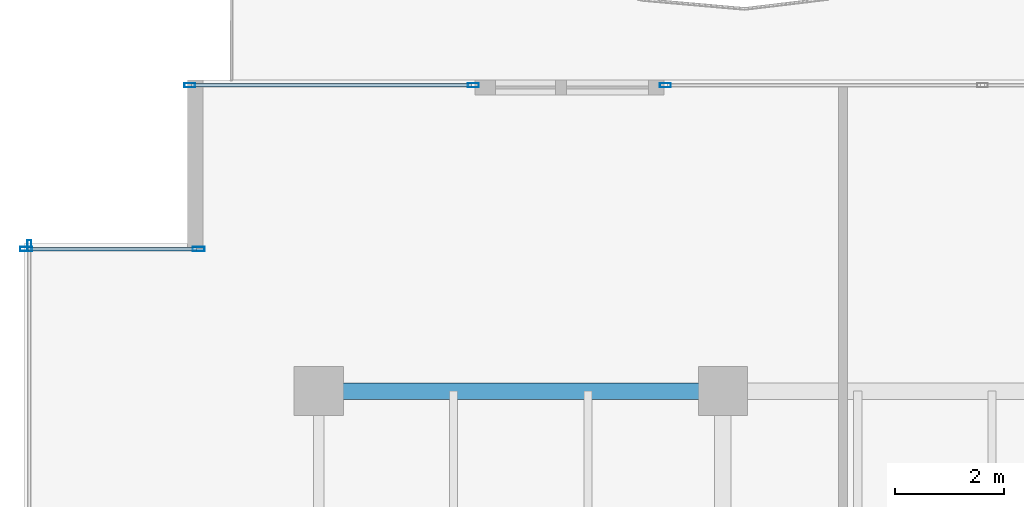
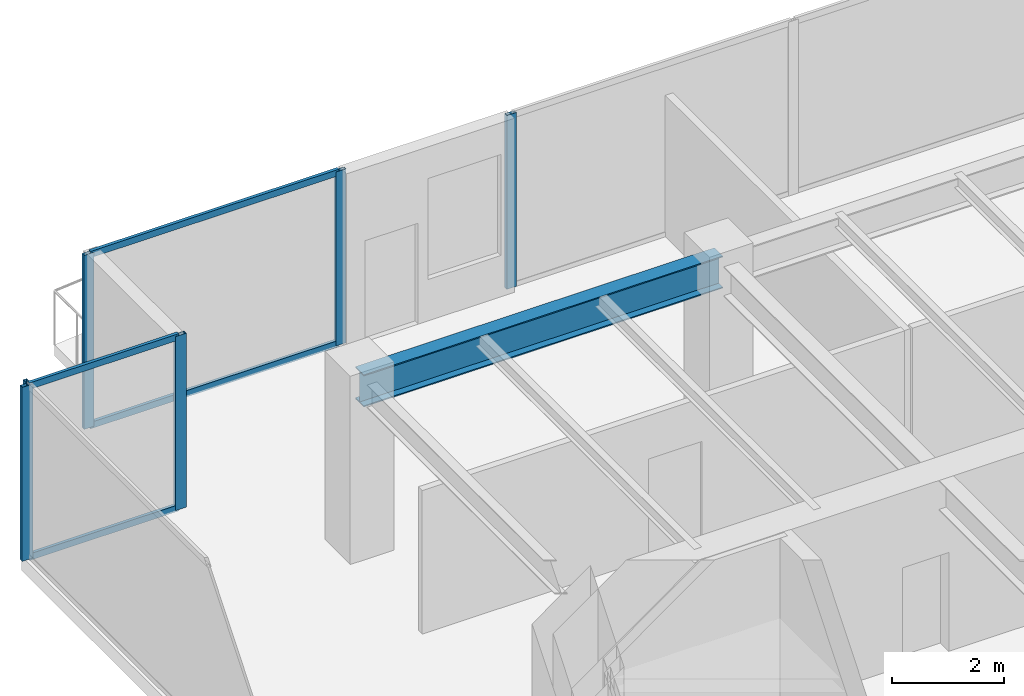
# One storey, part 12 of 30: 10 members, 1 beam, 4 elements without a shape of their own.
"""IFC4 building model written with IfcOpenShell, lengths in metres."""

from ifc_helpers import new_model, si_unit, direction, frame, origin, origin_2d, place, context, subcontext, project, spatial, hollow_rectangle, i_section, extrude, source, transform, mapped, material, layer, layer_set, material_profile, profile_set, type_object, type_shapes, element, aggregate, save


model = new_model("IFC4")

# Units and contexts
model_context = context("Model", 3, precision=1e-05, world=origin(), true_north=direction((0.0, 1.0)))
body_context = subcontext(model_context, "Body", "Model", "MODEL_VIEW")
ifc_project = project(units=[si_unit("LENGTHUNIT", "METRE"), si_unit("AREAUNIT", "SQUARE_METRE"), si_unit("VOLUMEUNIT", "CUBIC_METRE"), si_unit("PLANEANGLEUNIT", "RADIAN"), si_unit("MASSUNIT", "GRAM", prefix="KILO")], contexts=[model_context])

# Site, building, storey
site_placement = place(None, origin())
site = spatial("IfcSite", under=ifc_project, at=site_placement, CompositionType="ELEMENT")
building_placement = place(site_placement, origin())
building = spatial("IfcBuilding", under=site, at=building_placement, Name="Haelvirn Gate Laboratories", CompositionType="ELEMENT")
storey_placement = place(building_placement, frame((0.0, 0.0, 146.10009765625)))
storey = spatial("IfcBuildingStorey", under=building, at=storey_placement, Name="L35", CompositionType="ELEMENT", Elevation=146.10009765625)

# Beam
ifc_material_1 = material(Name="Steel SM355", Category="steel")
ifc_material_profile_1 = material_profile(ifc_material_1, i_section(OverallWidth=0.300048828125, OverallDepth=0.699951171875, WebThickness=0.012939453125, FlangeThickness=0.02392578125, at=origin_2d()), Name="H-700x300x13x24")
ifc_profile_set_1 = profile_set([ifc_material_profile_1], Name="Steel SM355")
beam_type = type_object("IfcBeamType", Name="BM-G-700", PredefinedType="BEAM", material=ifc_profile_set_1)
shared_shape_1 = source(origin(), body_context, "Body", "SweptSolid", [
    extrude(i_section(OverallWidth=0.300048828125, OverallDepth=0.699951171875, WebThickness=0.012939453125, FlangeThickness=0.02392578125, at=origin_2d()), origin(), (0.0, 0.0, 1.0), 7.400146484375),
])
type_shapes(beam_type, [shared_shape_1])
beam_placement = place(storey_placement, frame((7.39990234375, 41.60009765625, 3.43994140625), z_axis=(1.0, 0.0, 0.0), x_axis=(0.0, 1.0, 0.0)))
element("IfcBeam", 1, at=beam_placement, inside=storey, type_object=beam_type, Name="L35 Primary Girder Y41.6 (7.4-14.8)", PredefinedType="BEAM", context=body_context, shape_type="MappedRepresentation", body=[
    mapped(shared_shape_1, transform((0.0, 0.0, 0.0), scale=1.0)),
])

# Curtain wall, members
ifc_material_2 = material(Name="Anodised bronze unitised aluminium & triple low-E glass", Category="aluminium")
ifc_layer_1 = layer(ifc_material_2, 0.181884765625, Name="CW-SYS-5")
ifc_layer_set_1 = layer_set([ifc_layer_1], Name="Anodised bronze unitised aluminium & triple low-E glass")
curtain_wall_type_1 = type_object("IfcCurtainWallType", Name="CW-SYS-5", PredefinedType="NOTDEFINED", material=ifc_layer_set_1)
curtain_wall_1_placement = place(storey_placement, origin())
curtain_wall_1 = element("IfcCurtainWall", 2, at=curtain_wall_1_placement, inside=storey, type_object=curtain_wall_type_1, Name="L35 Unitised Curtain Wall CW-L35-P0-E16-1", PredefinedType="NOTDEFINED")
ifc_material_3 = material(Name="Extruded aluminium 6063-T6 (anodised bronze)", Category="aluminium")
ifc_material_profile_2 = material_profile(ifc_material_3, hollow_rectangle(XDim=0.06494140625, YDim=0.139892578125, WallThickness=0.00390625, at=origin_2d()), Name="CWT-140x65x4")
ifc_profile_set_2 = profile_set([ifc_material_profile_2], Name="Extruded aluminium 6063-T6 (anodised bronze)")
member_type_1 = type_object("IfcMemberType", Name="CWT-T140", PredefinedType="USERDEFINED", material=ifc_profile_set_2)
shared_shape_2 = source(origin(), body_context, "Body", "SweptSolid", [
    extrude(hollow_rectangle(XDim=0.06494140625, YDim=0.139892578125, WallThickness=0.00390625, at=origin_2d()), origin(), (0.0, 0.0, 1.0), 3.079833984375),
])
member_1_placement = place(storey_placement, frame((2.080078125, 44.199951171875, 0.032470703125), z_axis=(1.0, 0.0, 0.0), x_axis=(0.0, 1.0, 0.0)))
member_1 = element("IfcMember", 3, at=member_1_placement, type_object=member_type_1, Name="CW5 transom 1.1", ObjectType="TRANSOM", PredefinedType="USERDEFINED", context=body_context, shape_type="MappedRepresentation", body=[
    mapped(shared_shape_2, transform((0.0, 0.0, 0.0), scale=1.0)),
])
member_2_placement = place(storey_placement, frame((2.080078125, 44.199951171875, 3.75732421875), z_axis=(1.0, 0.0, 0.0), x_axis=(0.0, 1.0, 0.0)))
member_2 = element("IfcMember", 4, at=member_2_placement, type_object=member_type_1, Name="CW5 transom 1.2", ObjectType="TRANSOM", PredefinedType="USERDEFINED", context=body_context, shape_type="MappedRepresentation", body=[
    mapped(shared_shape_2, transform((0.0, 0.0, 0.0), scale=1.0)),
])

ifc_layer_2 = layer(ifc_material_2, 0.179931640625, Name="CW-SYS-3")
ifc_layer_set_2 = layer_set([ifc_layer_2], Name="Anodised bronze unitised aluminium & triple low-E glass")
curtain_wall_type_2 = type_object("IfcCurtainWallType", Name="CW-SYS-3", PredefinedType="NOTDEFINED", material=ifc_layer_set_2)
curtain_wall_2_placement = place(storey_placement, origin())
curtain_wall_2 = element("IfcCurtainWall", 5, at=curtain_wall_2_placement, inside=storey, type_object=curtain_wall_type_2, Name="L35 Unitised Curtain Wall CW-L35-P0-E14-1", PredefinedType="NOTDEFINED")
ifc_material_profile_3 = material_profile(ifc_material_3, hollow_rectangle(XDim=0.074951171875, YDim=0.199951171875, WallThickness=0.0048828125, at=origin_2d()), Name="CWM-200x75x5")
ifc_profile_set_3 = profile_set([ifc_material_profile_3], Name="Extruded aluminium 6063-T6 (anodised bronze)")
member_type_2 = type_object("IfcMemberType", Name="CWM-T200", PredefinedType="MULLION", material=ifc_profile_set_3)
shared_shape_3 = source(origin(), body_context, "Body", "SweptSolid", [
    extrude(hollow_rectangle(XDim=0.074951171875, YDim=0.199951171875, WallThickness=0.0048828125, at=origin_2d()), origin(), (0.0, 0.0, 1.0), 3.789794921875),
])
type_shapes(member_type_2, [shared_shape_3])
member_3_placement = place(storey_placement, frame((5.03759765625, 47.199951171875, 0.0), z_axis=(0.0, 0.0, 1.0), x_axis=(0.0, 1.0, 0.0)))
member_3 = element("IfcMember", 6, at=member_3_placement, type_object=member_type_2, Name="CW3 mullion 1", PredefinedType="MULLION", context=body_context, shape_type="MappedRepresentation", body=[
    mapped(shared_shape_3, transform((0.0, 0.0, 0.0), scale=1.0)),
])
member_4_placement = place(storey_placement, frame((10.232421875, 47.199951171875, 0.0), z_axis=(0.0, 0.0, 1.0), x_axis=(0.0, 1.0, 0.0)))
member_4 = element("IfcMember", 7, at=member_4_placement, type_object=member_type_2, Name="CW3 mullion 2", PredefinedType="MULLION", context=body_context, shape_type="MappedRepresentation", body=[
    mapped(shared_shape_3, transform((0.0, 0.0, 0.0), scale=1.0)),
])

# Curtain wall, member
curtain_wall_3_placement = place(storey_placement, origin())
curtain_wall_3 = element("IfcCurtainWall", 8, at=curtain_wall_3_placement, inside=storey, type_object=curtain_wall_type_2, Name="L35 Unitised Curtain Wall CW-L35-P0-E14-2", PredefinedType="NOTDEFINED")
member_5_placement = place(storey_placement, frame((13.74755859375, 47.199951171875, 0.0), z_axis=(0.0, 0.0, 1.0), x_axis=(0.0, 1.0, 0.0)))
member_5 = element("IfcMember", 9, at=member_5_placement, type_object=member_type_2, Name="CW3 mullion 1", PredefinedType="MULLION", context=body_context, shape_type="MappedRepresentation", body=[
    mapped(shared_shape_3, transform((0.0, 0.0, 0.0), scale=1.0)),
])
aggregate(curtain_wall_3, [member_5])

curtain_wall_4_placement = place(storey_placement, origin())
curtain_wall_4 = element("IfcCurtainWall", 10, at=curtain_wall_4_placement, inside=storey, type_object=curtain_wall_type_2, Name="L35 Unitised Curtain Wall CW-L35-P0-E17", PredefinedType="NOTDEFINED")
member_6_placement = place(storey_placement, frame((2.10009765625, 44.262451171875, 0.0), z_axis=(0.0, 0.0, 1.0), x_axis=(1.0, 0.0, 0.0)))
member_6 = element("IfcMember", 11, at=member_6_placement, type_object=member_type_2, Name="CW3 mullion 1", PredefinedType="MULLION", context=body_context, shape_type="MappedRepresentation", body=[
    mapped(shared_shape_3, transform((0.0, 0.0, 0.0), scale=1.0)),
])
aggregate(curtain_wall_4, [member_6])

# Member
ifc_material_profile_4 = material_profile(ifc_material_3, hollow_rectangle(XDim=0.080078125, YDim=0.219970703125, WallThickness=0.006103515625, at=origin_2d()), Name="CWM-220x80x6")
ifc_profile_set_4 = profile_set([ifc_material_profile_4], Name="Extruded aluminium 6063-T6 (anodised bronze)")
member_type_3 = type_object("IfcMemberType", Name="CWM-T220", PredefinedType="MULLION", material=ifc_profile_set_4)
shared_shape_4 = source(origin(), body_context, "Body", "SweptSolid", [
    extrude(hollow_rectangle(XDim=0.080078125, YDim=0.219970703125, WallThickness=0.006103515625, at=origin_2d()), origin(), (0.0, 0.0, 1.0), 3.789794921875),
])
type_shapes(member_type_3, [shared_shape_4])
member_7_placement = place(storey_placement, frame((2.0400390625, 44.199951171875, 0.0), z_axis=(0.0, 0.0, 1.0), x_axis=(0.0, 1.0, 0.0)))
member_7 = element("IfcMember", 12, at=member_7_placement, type_object=member_type_3, Name="CW5 mullion 1", PredefinedType="MULLION", context=body_context, shape_type="MappedRepresentation", body=[
    mapped(shared_shape_4, transform((0.0, 0.0, 0.0), scale=1.0)),
])

member_8_placement = place(storey_placement, frame((5.199951171875, 44.199951171875, 0.0), z_axis=(0.0, 0.0, 1.0), x_axis=(0.0, 1.0, 0.0)))
member_8 = element("IfcMember", 13, at=member_8_placement, type_object=member_type_3, Name="CW5 mullion 2", PredefinedType="MULLION", context=body_context, shape_type="MappedRepresentation", body=[
    mapped(shared_shape_4, transform((0.0, 0.0, 0.0), scale=1.0)),
])

aggregate(curtain_wall_1, [member_7, member_8, member_1, member_2])

shared_shape_5 = source(origin(), body_context, "Body", "SweptSolid", [
    extrude(hollow_rectangle(XDim=0.06494140625, YDim=0.139892578125, WallThickness=0.00390625, at=origin_2d()), origin(), (0.0, 0.0, 1.0), 5.1201171875),
])
type_shapes(member_type_1, [shared_shape_2, shared_shape_5])
member_9_placement = place(storey_placement, frame((5.074951171875, 47.199951171875, 0.032470703125), z_axis=(1.0, 0.0, 0.0), x_axis=(0.0, 1.0, 0.0)))
member_9 = element("IfcMember", 14, at=member_9_placement, type_object=member_type_1, Name="CW3 transom 1.1", ObjectType="TRANSOM", PredefinedType="USERDEFINED", context=body_context, shape_type="MappedRepresentation", body=[
    mapped(shared_shape_5, transform((0.0, 0.0, 0.0), scale=1.0)),
])

member_10_placement = place(storey_placement, frame((5.074951171875, 47.199951171875, 3.75732421875), z_axis=(1.0, 0.0, 0.0), x_axis=(0.0, 1.0, 0.0)))
member_10 = element("IfcMember", 15, at=member_10_placement, type_object=member_type_1, Name="CW3 transom 1.2", ObjectType="TRANSOM", PredefinedType="USERDEFINED", context=body_context, shape_type="MappedRepresentation", body=[
    mapped(shared_shape_5, transform((0.0, 0.0, 0.0), scale=1.0)),
])

aggregate(curtain_wall_2, [member_3, member_4, member_9, member_10])

save(model, "model.ifc")
